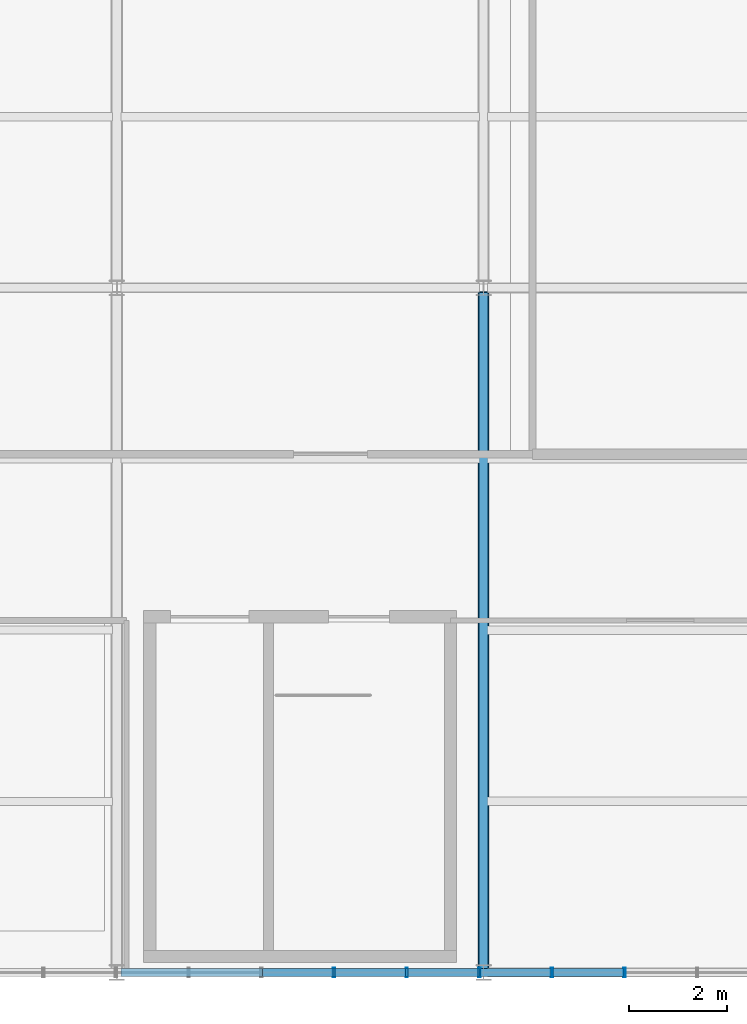
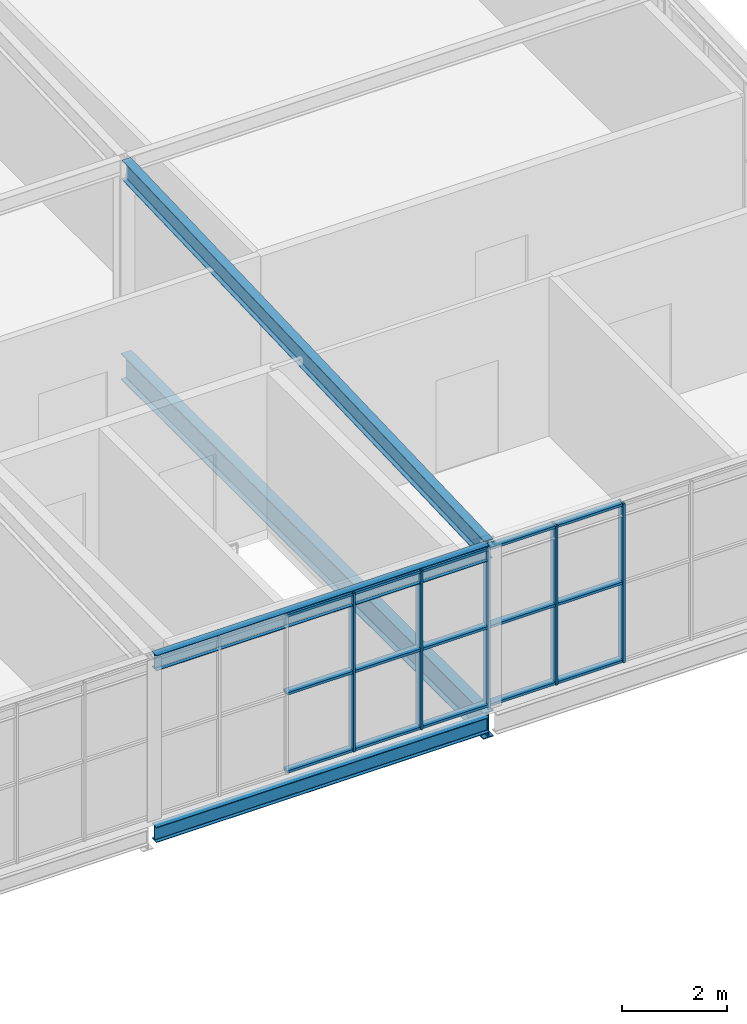
# One storey, part 14 of 27: 20 members, 4 beams, 1 element without a shape of its own.
"""IFC4 building model written with IfcOpenShell, lengths in metres."""

from ifc_helpers import new_model, si_unit, direction, frame, origin, origin_2d, place, context, subcontext, project, spatial, hollow_rectangle, i_section, extrude, material, layer, layer_set, material_profile, profile_set, type_object, element, aggregate, save


model = new_model("IFC4")

# Units and contexts
model_context = context("Model", 3, precision=1e-05, world=origin(), true_north=direction((0.0, 1.0)))
body_context = subcontext(model_context, "Body", "Model", "MODEL_VIEW")
ifc_project = project(units=[si_unit("LENGTHUNIT", "METRE"), si_unit("AREAUNIT", "SQUARE_METRE"), si_unit("VOLUMEUNIT", "CUBIC_METRE"), si_unit("PLANEANGLEUNIT", "RADIAN"), si_unit("MASSUNIT", "GRAM", prefix="KILO")], contexts=[model_context])

# Site, building, storey
site_placement = place(None, origin())
site = spatial("IfcSite", under=ifc_project, at=site_placement, CompositionType="ELEMENT")
building_placement = place(site_placement, origin())
building = spatial("IfcBuilding", under=site, at=building_placement, Name="Solvenia Promenade Tram Depot", CompositionType="ELEMENT")
storey_placement = place(building_placement, frame((0.0, 0.0, 13.5)))
storey = spatial("IfcBuildingStorey", under=building, at=storey_placement, Name="L03", CompositionType="ELEMENT", Elevation=13.5)

# Beam
ifc_material_1 = material(Name="Structural steel ASTM A992 Gr. 50", Category="steel")
ifc_material_profile_1 = material_profile(ifc_material_1, i_section(OverallWidth=0.19091796875, OverallDepth=0.4599609375, WebThickness=0.010009765625, FlangeThickness=0.01611328125, FilletRadius=0.012939453125, at=origin_2d()), Name="W460x82", Category="steel")
ifc_profile_set_1 = profile_set([ifc_material_profile_1], Name="Structural steel ASTM A992 Gr. 50")
beam_type_1 = type_object("IfcBeamType", Name="Beam-W460x82", PredefinedType="BEAM", material=ifc_profile_set_1)
beam_1_placement = place(storey_placement, frame((150.0, 38.0849609375, 3.530029296875), z_axis=(0.0, 0.999347117137, 0.036129481992), x_axis=(-1.0, 0.0, 0.0)))
element("IfcBeam", 1, at=beam_1_placement, inside=storey, type_object=beam_type_1, Name="Control Hub Sloped Rafter BM-L03-0887", PredefinedType="BEAM", context=body_context, shape_type="SweptSolid", body=[
    extrude(i_section(OverallWidth=0.19091796875, OverallDepth=0.4599609375, WebThickness=0.010009765625, FlangeThickness=0.01611328125, FilletRadius=0.012939453125, at=origin_2d()), origin(), (0.0, 0.0, 1.0), 13.839111328125),
])

# Curtain wall, members
ifc_material_2 = material(Name="Anodized aluminium AW-6063 T6", Category="aluminium")
ifc_layer = layer(ifc_material_2, 0.199951171875, Name="Anodized aluminium AW-6063 T6", Category="aluminium")
ifc_layer_set = layer_set([ifc_layer], Name="Anodized aluminium AW-6063 T6")
curtain_wall_type = type_object("IfcCurtainWallType", Name="CW-OCC-1500", PredefinedType="NOTDEFINED", material=ifc_layer_set)
curtain_wall_placement = place(storey_placement, origin())
curtain_wall = element("IfcCurtainWall", 2, at=curtain_wall_placement, inside=storey, type_object=curtain_wall_type, Name="Curtain Wall CW-L03-V2S", PredefinedType="NOTDEFINED")
ifc_material_profile_2 = material_profile(ifc_material_2, hollow_rectangle(XDim=0.199951171875, YDim=0.048095703125, WallThickness=0.00390625, at=origin_2d()), Name="ALU-M3", Category="aluminium")
ifc_profile_set_2 = profile_set([ifc_material_profile_2], Name="Anodized aluminium AW-6063 T6")
member_type_1 = type_object("IfcMemberType", Name="CWM-Mullion-3", PredefinedType="MULLION", material=ifc_profile_set_2)
member_1_placement = place(storey_placement, frame((146.94287109375, 38.0, 0.0), z_axis=(0.0, 0.0, 1.0), x_axis=(0.0, 1.0, 0.0)))
member_1 = element("IfcMember", 3, at=member_1_placement, type_object=member_type_1, Name="CW-8 mullion 19", PredefinedType="MULLION", context=body_context, shape_type="SweptSolid", body=[
    extrude(hollow_rectangle(XDim=0.199951171875, YDim=0.048095703125, WallThickness=0.00390625, at=origin_2d()), origin(), (0.0, 0.0, 1.0), 3.699951171875),
])
member_2_placement = place(storey_placement, frame((148.428466796875, 38.0, 0.0), z_axis=(0.0, 0.0, 1.0), x_axis=(0.0, 1.0, 0.0)))
member_2 = element("IfcMember", 4, at=member_2_placement, type_object=member_type_1, Name="CW-8 mullion 20", PredefinedType="MULLION", context=body_context, shape_type="SweptSolid", body=[
    extrude(hollow_rectangle(XDim=0.199951171875, YDim=0.048095703125, WallThickness=0.00390625, at=origin_2d()), origin(), (0.0, 0.0, 1.0), 3.699951171875),
])
member_3_placement = place(storey_placement, frame((149.914306640625, 38.0, 0.0), z_axis=(0.0, 0.0, 1.0), x_axis=(0.0, 1.0, 0.0)))
member_3 = element("IfcMember", 5, at=member_3_placement, type_object=member_type_1, Name="CW-8 mullion 21", PredefinedType="MULLION", context=body_context, shape_type="SweptSolid", body=[
    extrude(hollow_rectangle(XDim=0.199951171875, YDim=0.048095703125, WallThickness=0.00390625, at=origin_2d()), origin(), (0.0, 0.0, 1.0), 3.699951171875),
])
member_4_placement = place(storey_placement, frame((151.39990234375, 38.0, 0.0), z_axis=(0.0, 0.0, 1.0), x_axis=(0.0, 1.0, 0.0)))
member_4 = element("IfcMember", 6, at=member_4_placement, type_object=member_type_1, Name="CW-8 mullion 22", PredefinedType="MULLION", context=body_context, shape_type="SweptSolid", body=[
    extrude(hollow_rectangle(XDim=0.199951171875, YDim=0.048095703125, WallThickness=0.00390625, at=origin_2d()), origin(), (0.0, 0.0, 1.0), 3.699951171875),
])
member_5_placement = place(storey_placement, frame((152.8857421875, 38.0, 0.0), z_axis=(0.0, 0.0, 1.0), x_axis=(0.0, 1.0, 0.0)))
member_5 = element("IfcMember", 7, at=member_5_placement, type_object=member_type_1, Name="CW-8 mullion 23", PredefinedType="MULLION", context=body_context, shape_type="SweptSolid", body=[
    extrude(hollow_rectangle(XDim=0.199951171875, YDim=0.048095703125, WallThickness=0.00390625, at=origin_2d()), origin(), (0.0, 0.0, 1.0), 3.699951171875),
])
ifc_material_profile_3 = material_profile(ifc_material_2, hollow_rectangle(XDim=0.159912109375, YDim=0.05810546875, WallThickness=0.00390625, at=origin_2d()), Name="ALU-T3", Category="aluminium")
ifc_profile_set_3 = profile_set([ifc_material_profile_3], Name="Anodized aluminium AW-6063 T6")
member_type_2 = type_object("IfcMemberType", Name="CWT-Transom-3", PredefinedType="USERDEFINED", material=ifc_profile_set_3)
member_6_placement = place(storey_placement, frame((145.481201171875, 38.0, 0.029052734375), z_axis=(1.0, 0.0, 0.0), x_axis=(0.0, 1.0, 0.0)))
member_6 = element("IfcMember", 8, at=member_6_placement, type_object=member_type_2, Name="CW-8 transom 18.1", ObjectType="TRANSOM", PredefinedType="USERDEFINED", context=body_context, shape_type="SweptSolid", body=[
    extrude(hollow_rectangle(XDim=0.159912109375, YDim=0.05810546875, WallThickness=0.00390625, at=origin_2d()), origin(), (0.0, 0.0, 1.0), 1.437744140625),
])
member_7_placement = place(storey_placement, frame((145.481201171875, 38.0, 1.85009765625), z_axis=(1.0, 0.0, 0.0), x_axis=(0.0, 1.0, 0.0)))
member_7 = element("IfcMember", 9, at=member_7_placement, type_object=member_type_2, Name="CW-8 transom 18.2", ObjectType="TRANSOM", PredefinedType="USERDEFINED", context=body_context, shape_type="SweptSolid", body=[
    extrude(hollow_rectangle(XDim=0.159912109375, YDim=0.05810546875, WallThickness=0.00390625, at=origin_2d()), origin(), (0.0, 0.0, 1.0), 1.437744140625),
])
member_8_placement = place(storey_placement, frame((145.481201171875, 38.0, 3.6708984375), z_axis=(1.0, 0.0, 0.0), x_axis=(0.0, 1.0, 0.0)))
member_8 = element("IfcMember", 10, at=member_8_placement, type_object=member_type_2, Name="CW-8 transom 18.3", ObjectType="TRANSOM", PredefinedType="USERDEFINED", context=body_context, shape_type="SweptSolid", body=[
    extrude(hollow_rectangle(XDim=0.159912109375, YDim=0.05810546875, WallThickness=0.00390625, at=origin_2d()), origin(), (0.0, 0.0, 1.0), 1.437744140625),
])
member_9_placement = place(storey_placement, frame((146.966796875, 38.0, 0.029052734375), z_axis=(1.0, 0.0, 0.0), x_axis=(0.0, 1.0, 0.0)))
member_9 = element("IfcMember", 11, at=member_9_placement, type_object=member_type_2, Name="CW-8 transom 19.1", ObjectType="TRANSOM", PredefinedType="USERDEFINED", context=body_context, shape_type="SweptSolid", body=[
    extrude(hollow_rectangle(XDim=0.159912109375, YDim=0.05810546875, WallThickness=0.00390625, at=origin_2d()), origin(), (0.0, 0.0, 1.0), 1.437744140625),
])
member_10_placement = place(storey_placement, frame((146.966796875, 38.0, 1.85009765625), z_axis=(1.0, 0.0, 0.0), x_axis=(0.0, 1.0, 0.0)))
member_10 = element("IfcMember", 12, at=member_10_placement, type_object=member_type_2, Name="CW-8 transom 19.2", ObjectType="TRANSOM", PredefinedType="USERDEFINED", context=body_context, shape_type="SweptSolid", body=[
    extrude(hollow_rectangle(XDim=0.159912109375, YDim=0.05810546875, WallThickness=0.00390625, at=origin_2d()), origin(), (0.0, 0.0, 1.0), 1.437744140625),
])
member_11_placement = place(storey_placement, frame((146.966796875, 38.0, 3.6708984375), z_axis=(1.0, 0.0, 0.0), x_axis=(0.0, 1.0, 0.0)))
member_11 = element("IfcMember", 13, at=member_11_placement, type_object=member_type_2, Name="CW-8 transom 19.3", ObjectType="TRANSOM", PredefinedType="USERDEFINED", context=body_context, shape_type="SweptSolid", body=[
    extrude(hollow_rectangle(XDim=0.159912109375, YDim=0.05810546875, WallThickness=0.00390625, at=origin_2d()), origin(), (0.0, 0.0, 1.0), 1.437744140625),
])
member_12_placement = place(storey_placement, frame((148.45263671875, 38.0, 0.029052734375), z_axis=(1.0, 0.0, 0.0), x_axis=(0.0, 1.0, 0.0)))
member_12 = element("IfcMember", 14, at=member_12_placement, type_object=member_type_2, Name="CW-8 transom 20.1", ObjectType="TRANSOM", PredefinedType="USERDEFINED", context=body_context, shape_type="SweptSolid", body=[
    extrude(hollow_rectangle(XDim=0.159912109375, YDim=0.05810546875, WallThickness=0.00390625, at=origin_2d()), origin(), (0.0, 0.0, 1.0), 1.437744140625),
])
member_13_placement = place(storey_placement, frame((148.45263671875, 38.0, 1.85009765625), z_axis=(1.0, 0.0, 0.0), x_axis=(0.0, 1.0, 0.0)))
member_13 = element("IfcMember", 15, at=member_13_placement, type_object=member_type_2, Name="CW-8 transom 20.2", ObjectType="TRANSOM", PredefinedType="USERDEFINED", context=body_context, shape_type="SweptSolid", body=[
    extrude(hollow_rectangle(XDim=0.159912109375, YDim=0.05810546875, WallThickness=0.00390625, at=origin_2d()), origin(), (0.0, 0.0, 1.0), 1.437744140625),
])
member_14_placement = place(storey_placement, frame((148.45263671875, 38.0, 3.6708984375), z_axis=(1.0, 0.0, 0.0), x_axis=(0.0, 1.0, 0.0)))
member_14 = element("IfcMember", 16, at=member_14_placement, type_object=member_type_2, Name="CW-8 transom 20.3", ObjectType="TRANSOM", PredefinedType="USERDEFINED", context=body_context, shape_type="SweptSolid", body=[
    extrude(hollow_rectangle(XDim=0.159912109375, YDim=0.05810546875, WallThickness=0.00390625, at=origin_2d()), origin(), (0.0, 0.0, 1.0), 1.437744140625),
])
member_15_placement = place(storey_placement, frame((149.938232421875, 38.0, 0.029052734375), z_axis=(1.0, 0.0, 0.0), x_axis=(0.0, 1.0, 0.0)))
member_15 = element("IfcMember", 17, at=member_15_placement, type_object=member_type_2, Name="CW-8 transom 21.1", ObjectType="TRANSOM", PredefinedType="USERDEFINED", context=body_context, shape_type="SweptSolid", body=[
    extrude(hollow_rectangle(XDim=0.159912109375, YDim=0.05810546875, WallThickness=0.00390625, at=origin_2d()), origin(), (0.0, 0.0, 1.0), 1.437744140625),
])
member_16_placement = place(storey_placement, frame((149.938232421875, 38.0, 1.85009765625), z_axis=(1.0, 0.0, 0.0), x_axis=(0.0, 1.0, 0.0)))
member_16 = element("IfcMember", 18, at=member_16_placement, type_object=member_type_2, Name="CW-8 transom 21.2", ObjectType="TRANSOM", PredefinedType="USERDEFINED", context=body_context, shape_type="SweptSolid", body=[
    extrude(hollow_rectangle(XDim=0.159912109375, YDim=0.05810546875, WallThickness=0.00390625, at=origin_2d()), origin(), (0.0, 0.0, 1.0), 1.437744140625),
])
member_17_placement = place(storey_placement, frame((149.938232421875, 38.0, 3.6708984375), z_axis=(1.0, 0.0, 0.0), x_axis=(0.0, 1.0, 0.0)))
member_17 = element("IfcMember", 19, at=member_17_placement, type_object=member_type_2, Name="CW-8 transom 21.3", ObjectType="TRANSOM", PredefinedType="USERDEFINED", context=body_context, shape_type="SweptSolid", body=[
    extrude(hollow_rectangle(XDim=0.159912109375, YDim=0.05810546875, WallThickness=0.00390625, at=origin_2d()), origin(), (0.0, 0.0, 1.0), 1.437744140625),
])
member_18_placement = place(storey_placement, frame((151.424072265625, 38.0, 0.029052734375), z_axis=(1.0, 0.0, 0.0), x_axis=(0.0, 1.0, 0.0)))
member_18 = element("IfcMember", 20, at=member_18_placement, type_object=member_type_2, Name="CW-8 transom 22.1", ObjectType="TRANSOM", PredefinedType="USERDEFINED", context=body_context, shape_type="SweptSolid", body=[
    extrude(hollow_rectangle(XDim=0.159912109375, YDim=0.05810546875, WallThickness=0.00390625, at=origin_2d()), origin(), (0.0, 0.0, 1.0), 1.437744140625),
])
member_19_placement = place(storey_placement, frame((151.424072265625, 38.0, 1.85009765625), z_axis=(1.0, 0.0, 0.0), x_axis=(0.0, 1.0, 0.0)))
member_19 = element("IfcMember", 21, at=member_19_placement, type_object=member_type_2, Name="CW-8 transom 22.2", ObjectType="TRANSOM", PredefinedType="USERDEFINED", context=body_context, shape_type="SweptSolid", body=[
    extrude(hollow_rectangle(XDim=0.159912109375, YDim=0.05810546875, WallThickness=0.00390625, at=origin_2d()), origin(), (0.0, 0.0, 1.0), 1.437744140625),
])
member_20_placement = place(storey_placement, frame((151.424072265625, 38.0, 3.6708984375), z_axis=(1.0, 0.0, 0.0), x_axis=(0.0, 1.0, 0.0)))
member_20 = element("IfcMember", 22, at=member_20_placement, type_object=member_type_2, Name="CW-8 transom 22.3", ObjectType="TRANSOM", PredefinedType="USERDEFINED", context=body_context, shape_type="SweptSolid", body=[
    extrude(hollow_rectangle(XDim=0.159912109375, YDim=0.05810546875, WallThickness=0.00390625, at=origin_2d()), origin(), (0.0, 0.0, 1.0), 1.437744140625),
])
aggregate(curtain_wall, [member_1, member_2, member_3, member_4, member_5, member_6, member_7, member_8, member_9, member_10, member_11, member_12, member_13, member_14, member_15, member_16, member_17, member_18, member_19, member_20])

# Beams
ifc_material_profile_4 = material_profile(ifc_material_1, i_section(OverallWidth=0.22900390625, OverallDepth=0.612060546875, WebThickness=0.011962890625, FlangeThickness=0.01953125, FilletRadius=0.014892578125, at=origin_2d()), Name="W610x125", Category="steel")
ifc_profile_set_4 = profile_set([ifc_material_profile_4], Name="Structural steel ASTM A992 Gr. 50")
beam_type_2 = type_object("IfcBeamType", Name="Gird-W610x125", PredefinedType="BEAM", material=ifc_profile_set_4)
beam_2_placement = place(storey_placement, frame((150.0, 38.0849609375, -0.5458984375), z_axis=(0.0, 1.0, 0.0), x_axis=(-1.0, 0.0, 0.0)))
element("IfcBeam", 23, at=beam_2_placement, inside=storey, type_object=beam_type_2, Name="Transverse Girder BM-L03-0618", PredefinedType="BEAM", context=body_context, shape_type="SweptSolid", body=[
    extrude(i_section(OverallWidth=0.22900390625, OverallDepth=0.612060546875, WebThickness=0.011962890625, FlangeThickness=0.01953125, FilletRadius=0.014892578125, at=origin_2d()), origin(), (0.0, 0.0, 1.0), 13.830078125),
])
ifc_material_profile_5 = material_profile(ifc_material_1, i_section(OverallWidth=0.172119140625, OverallDepth=0.35791015625, WebThickness=0.0078125, FlangeThickness=0.01318359375, FilletRadius=0.010986328125, at=origin_2d()), Name="W360x57", Category="steel")
ifc_profile_set_5 = profile_set([ifc_material_profile_5], Name="Structural steel ASTM A992 Gr. 50")
beam_type_3 = type_object("IfcBeamType", Name="Spandrel-W360x57", PredefinedType="SPANDREL", material=ifc_profile_set_5)
for number, where, z_axis, x_axis, name in (
    (24, (142.5849609375, 38.0, -0.4189453125), (1.0, 0.0, 0.0), (0.0, 1.0, 0.0), "Perimeter Spandrel BM-L03-0598"),
    (25, (142.5849609375, 38.0, 3.5810546875), (1.0, 0.0, 0.0), (0.0, 1.0, 0.0), "Control Hub Roof Girder BM-L03-0900"),
):
    element("IfcBeam", number, at=place(storey_placement, frame(where, z_axis=z_axis, x_axis=x_axis)), inside=storey, type_object=beam_type_3, Name=name, PredefinedType="SPANDREL", context=body_context, shape_type="SweptSolid", body=[
        extrude(i_section(OverallWidth=0.172119140625, OverallDepth=0.35791015625, WebThickness=0.0078125, FlangeThickness=0.01318359375, FilletRadius=0.010986328125, at=origin_2d()), origin(), (0.0, 0.0, 1.0), 7.330078125),
    ])

save(model, "model.ifc")
